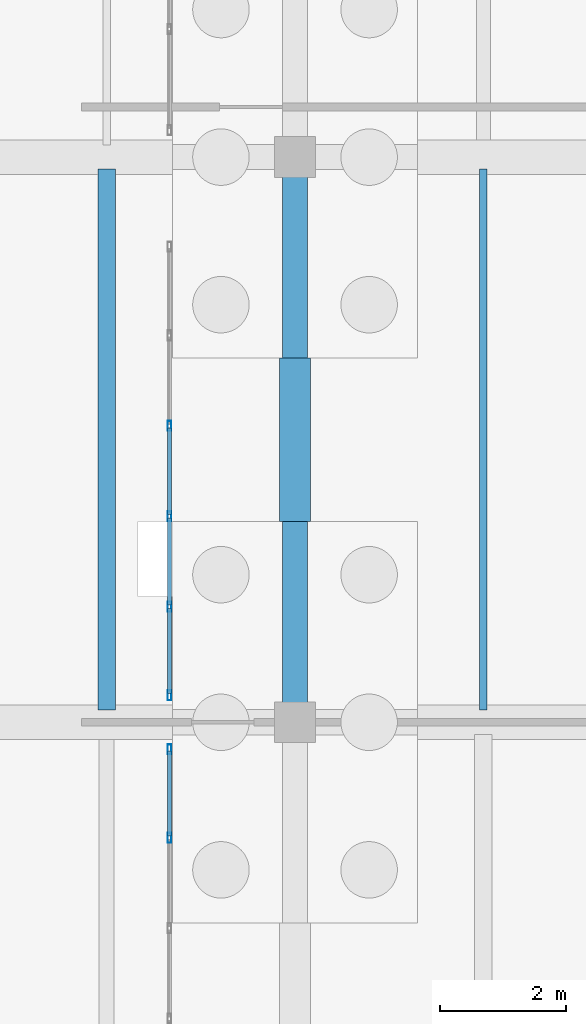
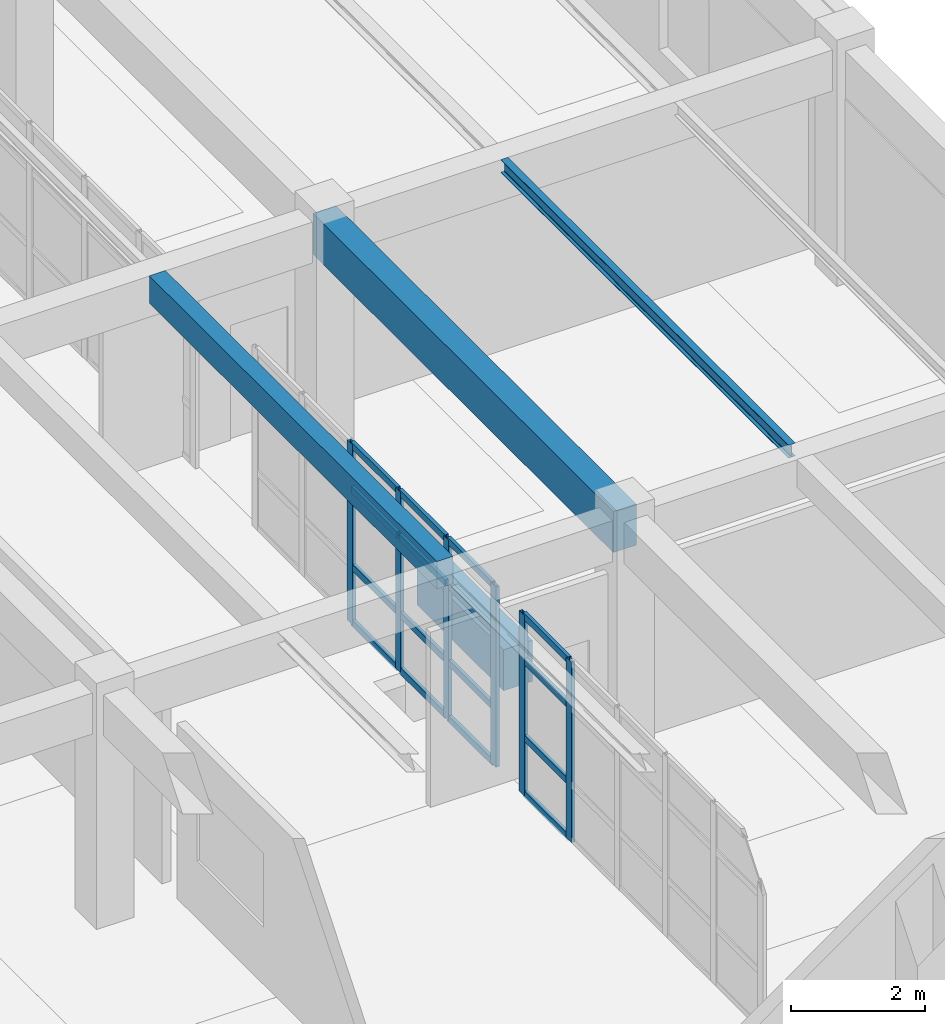
# One storey, part 116 of 186: 22 members, 4 beams, 2 elements without a shape of their own.
"""IFC4 building model written with IfcOpenShell, lengths in metres."""

from ifc_helpers import new_model, si_unit, direction, frame, origin, origin_2d, place, context, subcontext, project, spatial, rectangle, hollow_rectangle, i_section, extrude, material, layer, layer_set, material_profile, profile_set, type_object, element, aggregate, save


model = new_model("IFC4")

# Units and contexts
model_context = context("Model", 3, precision=1e-05, world=origin(), true_north=direction((0.0, 1.0)))
body_context = subcontext(model_context, "Body", "Model", "MODEL_VIEW")
ifc_project = project(units=[si_unit("LENGTHUNIT", "METRE"), si_unit("AREAUNIT", "SQUARE_METRE"), si_unit("VOLUMEUNIT", "CUBIC_METRE"), si_unit("PLANEANGLEUNIT", "RADIAN"), si_unit("MASSUNIT", "GRAM", prefix="KILO")], contexts=[model_context])

# Site, building, storey
site_placement = place(None, origin())
site = spatial("IfcSite", under=ifc_project, at=site_placement, CompositionType="ELEMENT")
building_placement = place(site_placement, origin())
building = spatial("IfcBuilding", under=site, at=building_placement, Name="Ornek Quay Market", CompositionType="ELEMENT")
storey_placement = place(building_placement, origin())
storey = spatial("IfcBuildingStorey", under=building, at=storey_placement, Name="L00", CompositionType="ELEMENT", Elevation=0.0)

# Beams
ifc_material_1 = material(Name="Concrete C35/45", Category="concrete")
ifc_material_profile_1 = material_profile(ifc_material_1, rectangle(XDim=0.39990234375, YDim=0.75, at=origin_2d()), Name="RC 400x750", Category="concrete")
ifc_profile_set_1 = profile_set([ifc_material_profile_1], Name="Concrete C35/45")
beam_type_1 = type_object("IfcBeamType", Name="BM-CS-400x750", PredefinedType="BEAM", material=ifc_profile_set_1)
beam_1_placement = place(storey_placement, frame((171.0, 38.0, 3.875), z_axis=(0.0, 1.0, 0.0), x_axis=(-1.0, 0.0, 0.0)))
element("IfcBeam", 1, at=beam_1_placement, inside=storey, type_object=beam_type_1, Name="Primary beam B-CS1-025", PredefinedType="BEAM", context=body_context, shape_type="SweptSolid", body=[
    extrude(rectangle(XDim=0.39990234375, YDim=0.75, at=origin_2d()), origin(), (0.0, 0.0, 1.0), 9.0),
])
ifc_material_profile_2 = material_profile(ifc_material_1, rectangle(XDim=0.5, YDim=0.75, at=origin_2d()), Name="RC 500x750", Category="concrete")
ifc_profile_set_2 = profile_set([ifc_material_profile_2], Name="Concrete C35/45")
beam_type_2 = type_object("IfcBeamType", Name="BM-GB-500x750", PredefinedType="BEAM", material=ifc_profile_set_2)
beam_2_placement = place(storey_placement, frame((171.0, 41.199951171875, -0.574951171875), z_axis=(0.0, 1.0, 0.0), x_axis=(-1.0, 0.0, 0.0)))
element("IfcBeam", 2, at=beam_2_placement, inside=storey, type_object=beam_type_2, Name="Ground tie beam GB-413", PredefinedType="BEAM", context=body_context, shape_type="SweptSolid", body=[
    extrude(rectangle(XDim=0.5, YDim=0.75, at=origin_2d()), origin(), (0.0, 0.0, 1.0), 2.60009765625),
])
ifc_material_profile_3 = material_profile(ifc_material_1, rectangle(XDim=0.280029296875, YDim=0.5, at=origin_2d()), Name="RC 280x500", Category="concrete")
ifc_profile_set_3 = profile_set([ifc_material_profile_3], Name="Concrete C35/45")
beam_type_3 = type_object("IfcBeamType", Name="BM-SEC-280x500", PredefinedType="JOIST", material=ifc_profile_set_3)
beam_3_placement = place(storey_placement, frame((168.0, 38.19189453125, 4.0), z_axis=(0.0, 1.0, 0.0), x_axis=(-1.0, 0.0, 0.0)))
element("IfcBeam", 3, at=beam_3_placement, inside=storey, type_object=beam_type_3, Name="Secondary joist B-SC2-082", PredefinedType="JOIST", context=body_context, shape_type="SweptSolid", body=[
    extrude(rectangle(XDim=0.280029296875, YDim=0.5, at=origin_2d()), origin(), (0.0, 0.0, 1.0), 8.6162109375),
])
ifc_material_2 = material(Name="Steel S355", Category="steel")
ifc_material_profile_4 = material_profile(ifc_material_2, i_section(OverallWidth=0.1201171875, OverallDepth=0.239990234375, WebThickness=0.006103515625, FlangeThickness=0.009765625, FilletRadius=0.014892578125, at=origin_2d()), Name="IPE 240", Category="steel")
ifc_profile_set_4 = profile_set([ifc_material_profile_4], Name="Steel S355")
beam_type_4 = type_object("IfcBeamType", Name="BM-STL-IPE240", PredefinedType="JOIST", material=ifc_profile_set_4)
beam_4_placement = place(storey_placement, frame((174.0, 38.19189453125, 4.1298828125), z_axis=(0.0, 1.0, 0.0), x_axis=(-1.0, 0.0, 0.0)))
element("IfcBeam", 4, at=beam_4_placement, inside=storey, type_object=beam_type_4, Name="Secondary joist SB-04-043", PredefinedType="JOIST", context=body_context, shape_type="SweptSolid", body=[
    extrude(i_section(OverallWidth=0.1201171875, OverallDepth=0.239990234375, WebThickness=0.006103515625, FlangeThickness=0.009765625, FilletRadius=0.014892578125, at=origin_2d()), origin(), (0.0, 0.0, 1.0), 8.6162109375),
])

# Curtain wall, members
ifc_material_3 = material(Name="Anodised bronze aluminium and triple low-e glass", Category="aluminium")
ifc_layer = layer(ifc_material_3, 0.139892578125, Name="Anodised bronze aluminium and triple low-e glass", Category="aluminium")
ifc_layer_set = layer_set([ifc_layer], Name="Anodised bronze aluminium and triple low-e glass")
curtain_wall_type = type_object("IfcCurtainWallType", Name="CW-GALLERY-INT", PredefinedType="USERDEFINED", material=ifc_layer_set)
curtain_wall_1_placement = place(storey_placement, origin())
curtain_wall_1 = element("IfcCurtainWall", 5, at=curtain_wall_1_placement, inside=storey, type_object=curtain_wall_type, Name="Curtain wall CW-159", ObjectType="CURTAIN WALL", PredefinedType="USERDEFINED")
ifc_material_4 = material(Name="Anodised aluminium 6063-T6", Category="aluminium")
ifc_material_profile_5 = material_profile(ifc_material_4, hollow_rectangle(XDim=0.06005859375, YDim=0.159912109375, WallThickness=0.00390625, at=origin_2d()), Name="CW-MUL-60x160", Category="aluminium")
ifc_profile_set_5 = profile_set([ifc_material_profile_5], Name="Anodised aluminium 6063-T6")
member_type_1 = type_object("IfcMemberType", Name="CW-MUL-60x160", PredefinedType="MULLION", material=ifc_profile_set_5)
member_1_placement = place(storey_placement, frame((169.0, 36.159912109375, 0.0), z_axis=(0.0, 0.0, 1.0), x_axis=(-1.0, 0.0, 0.0)))
member_1 = element("IfcMember", 6, at=member_1_placement, type_object=member_type_1, Name="CW-159 mullion 5", PredefinedType="MULLION", context=body_context, shape_type="SweptSolid", body=[
    extrude(hollow_rectangle(XDim=0.06005859375, YDim=0.159912109375, WallThickness=0.00390625, at=origin_2d()), origin(), (0.0, 0.0, 1.0), 3.300048828125),
])
member_2_placement = place(storey_placement, frame((169.0, 37.570068359375, 0.0), z_axis=(0.0, 0.0, 1.0), x_axis=(-1.0, 0.0, 0.0)))
member_2 = element("IfcMember", 7, at=member_2_placement, type_object=member_type_1, Name="CW-159 mullion 6", PredefinedType="MULLION", context=body_context, shape_type="SweptSolid", body=[
    extrude(hollow_rectangle(XDim=0.06005859375, YDim=0.159912109375, WallThickness=0.00390625, at=origin_2d()), origin(), (0.0, 0.0, 1.0), 3.300048828125),
])

curtain_wall_2_placement = place(storey_placement, origin())
curtain_wall_2 = element("IfcCurtainWall", 8, at=curtain_wall_2_placement, inside=storey, type_object=curtain_wall_type, Name="Curtain wall CW-160", ObjectType="CURTAIN WALL", PredefinedType="USERDEFINED")
member_3_placement = place(storey_placement, frame((169.0, 38.429931640625, 0.0), z_axis=(0.0, 0.0, 1.0), x_axis=(-1.0, 0.0, 0.0)))
member_3 = element("IfcMember", 9, at=member_3_placement, type_object=member_type_1, Name="CW-160 mullion 1", PredefinedType="MULLION", context=body_context, shape_type="SweptSolid", body=[
    extrude(hollow_rectangle(XDim=0.06005859375, YDim=0.159912109375, WallThickness=0.00390625, at=origin_2d()), origin(), (0.0, 0.0, 1.0), 3.300048828125),
])
member_4_placement = place(storey_placement, frame((169.0, 39.840087890625, 0.0), z_axis=(0.0, 0.0, 1.0), x_axis=(-1.0, 0.0, 0.0)))
member_4 = element("IfcMember", 10, at=member_4_placement, type_object=member_type_1, Name="CW-160 mullion 2", PredefinedType="MULLION", context=body_context, shape_type="SweptSolid", body=[
    extrude(hollow_rectangle(XDim=0.06005859375, YDim=0.159912109375, WallThickness=0.00390625, at=origin_2d()), origin(), (0.0, 0.0, 1.0), 3.300048828125),
])
member_5_placement = place(storey_placement, frame((169.0, 41.280029296875, 0.0), z_axis=(0.0, 0.0, 1.0), x_axis=(-1.0, 0.0, 0.0)))
member_5 = element("IfcMember", 11, at=member_5_placement, type_object=member_type_1, Name="CW-160 mullion 3", PredefinedType="MULLION", context=body_context, shape_type="SweptSolid", body=[
    extrude(hollow_rectangle(XDim=0.06005859375, YDim=0.159912109375, WallThickness=0.00390625, at=origin_2d()), origin(), (0.0, 0.0, 1.0), 3.300048828125),
])
member_6_placement = place(storey_placement, frame((169.0, 42.719970703125, 0.0), z_axis=(0.0, 0.0, 1.0), x_axis=(-1.0, 0.0, 0.0)))
member_6 = element("IfcMember", 12, at=member_6_placement, type_object=member_type_1, Name="CW-160 mullion 4", PredefinedType="MULLION", context=body_context, shape_type="SweptSolid", body=[
    extrude(hollow_rectangle(XDim=0.06005859375, YDim=0.159912109375, WallThickness=0.00390625, at=origin_2d()), origin(), (0.0, 0.0, 1.0), 3.300048828125),
])

# Member
ifc_material_profile_6 = material_profile(ifc_material_4, hollow_rectangle(XDim=0.06005859375, YDim=0.1201171875, WallThickness=0.00390625, at=origin_2d()), Name="CW-TRN-60x120", Category="aluminium")
ifc_profile_set_6 = profile_set([ifc_material_profile_6], Name="Anodised aluminium 6063-T6")
member_type_2 = type_object("IfcMemberType", Name="CW-TRN-60x120", PredefinedType="USERDEFINED", material=ifc_profile_set_6)
member_7_placement = place(storey_placement, frame((169.0, 36.18994140625, 0.030029296875), z_axis=(0.0, 1.0, 0.0), x_axis=(-1.0, 0.0, 0.0)))
member_7 = element("IfcMember", 13, at=member_7_placement, type_object=member_type_2, Name="CW-159 transom 5.1", ObjectType="TRANSOM", PredefinedType="USERDEFINED", context=body_context, shape_type="SweptSolid", body=[
    extrude(hollow_rectangle(XDim=0.06005859375, YDim=0.1201171875, WallThickness=0.00390625, at=origin_2d()), origin(), (0.0, 0.0, 1.0), 1.35009765625),
])

member_8_placement = place(storey_placement, frame((169.0, 36.18994140625, 1.050048828125), z_axis=(0.0, 1.0, 0.0), x_axis=(-1.0, 0.0, 0.0)))
member_8 = element("IfcMember", 14, at=member_8_placement, type_object=member_type_2, Name="CW-159 transom 5.2", ObjectType="TRANSOM", PredefinedType="USERDEFINED", context=body_context, shape_type="SweptSolid", body=[
    extrude(hollow_rectangle(XDim=0.06005859375, YDim=0.1201171875, WallThickness=0.00390625, at=origin_2d()), origin(), (0.0, 0.0, 1.0), 1.35009765625),
])

member_9_placement = place(storey_placement, frame((169.0, 36.18994140625, 2.449951171875), z_axis=(0.0, 1.0, 0.0), x_axis=(-1.0, 0.0, 0.0)))
member_9 = element("IfcMember", 15, at=member_9_placement, type_object=member_type_2, Name="CW-159 transom 5.3", ObjectType="TRANSOM", PredefinedType="USERDEFINED", context=body_context, shape_type="SweptSolid", body=[
    extrude(hollow_rectangle(XDim=0.06005859375, YDim=0.1201171875, WallThickness=0.00390625, at=origin_2d()), origin(), (0.0, 0.0, 1.0), 1.35009765625),
])

member_10_placement = place(storey_placement, frame((169.0, 36.18994140625, 3.27001953125), z_axis=(0.0, 1.0, 0.0), x_axis=(-1.0, 0.0, 0.0)))
member_10 = element("IfcMember", 16, at=member_10_placement, type_object=member_type_2, Name="CW-159 transom 5.4", ObjectType="TRANSOM", PredefinedType="USERDEFINED", context=body_context, shape_type="SweptSolid", body=[
    extrude(hollow_rectangle(XDim=0.06005859375, YDim=0.1201171875, WallThickness=0.00390625, at=origin_2d()), origin(), (0.0, 0.0, 1.0), 1.35009765625),
])

aggregate(curtain_wall_1, [member_1, member_2, member_7, member_8, member_9, member_10])

member_11_placement = place(storey_placement, frame((169.0, 38.4599609375, 0.030029296875), z_axis=(0.0, 1.0, 0.0), x_axis=(-1.0, 0.0, 0.0)))
member_11 = element("IfcMember", 17, at=member_11_placement, type_object=member_type_2, Name="CW-160 transom 1.1", ObjectType="TRANSOM", PredefinedType="USERDEFINED", context=body_context, shape_type="SweptSolid", body=[
    extrude(hollow_rectangle(XDim=0.06005859375, YDim=0.1201171875, WallThickness=0.00390625, at=origin_2d()), origin(), (0.0, 0.0, 1.0), 1.35009765625),
])

member_12_placement = place(storey_placement, frame((169.0, 38.4599609375, 1.050048828125), z_axis=(0.0, 1.0, 0.0), x_axis=(-1.0, 0.0, 0.0)))
member_12 = element("IfcMember", 18, at=member_12_placement, type_object=member_type_2, Name="CW-160 transom 1.2", ObjectType="TRANSOM", PredefinedType="USERDEFINED", context=body_context, shape_type="SweptSolid", body=[
    extrude(hollow_rectangle(XDim=0.06005859375, YDim=0.1201171875, WallThickness=0.00390625, at=origin_2d()), origin(), (0.0, 0.0, 1.0), 1.35009765625),
])

member_13_placement = place(storey_placement, frame((169.0, 38.4599609375, 2.449951171875), z_axis=(0.0, 1.0, 0.0), x_axis=(-1.0, 0.0, 0.0)))
member_13 = element("IfcMember", 19, at=member_13_placement, type_object=member_type_2, Name="CW-160 transom 1.3", ObjectType="TRANSOM", PredefinedType="USERDEFINED", context=body_context, shape_type="SweptSolid", body=[
    extrude(hollow_rectangle(XDim=0.06005859375, YDim=0.1201171875, WallThickness=0.00390625, at=origin_2d()), origin(), (0.0, 0.0, 1.0), 1.35009765625),
])

member_14_placement = place(storey_placement, frame((169.0, 38.4599609375, 3.27001953125), z_axis=(0.0, 1.0, 0.0), x_axis=(-1.0, 0.0, 0.0)))
member_14 = element("IfcMember", 20, at=member_14_placement, type_object=member_type_2, Name="CW-160 transom 1.4", ObjectType="TRANSOM", PredefinedType="USERDEFINED", context=body_context, shape_type="SweptSolid", body=[
    extrude(hollow_rectangle(XDim=0.06005859375, YDim=0.1201171875, WallThickness=0.00390625, at=origin_2d()), origin(), (0.0, 0.0, 1.0), 1.35009765625),
])

member_15_placement = place(storey_placement, frame((169.0, 39.8701171875, 0.030029296875), z_axis=(0.0, 1.0, 0.0), x_axis=(-1.0, 0.0, 0.0)))
member_15 = element("IfcMember", 21, at=member_15_placement, type_object=member_type_2, Name="CW-160 transom 2.1", ObjectType="TRANSOM", PredefinedType="USERDEFINED", context=body_context, shape_type="SweptSolid", body=[
    extrude(hollow_rectangle(XDim=0.06005859375, YDim=0.1201171875, WallThickness=0.00390625, at=origin_2d()), origin(), (0.0, 0.0, 1.0), 1.3798828125),
])

member_16_placement = place(storey_placement, frame((169.0, 39.8701171875, 1.050048828125), z_axis=(0.0, 1.0, 0.0), x_axis=(-1.0, 0.0, 0.0)))
member_16 = element("IfcMember", 22, at=member_16_placement, type_object=member_type_2, Name="CW-160 transom 2.2", ObjectType="TRANSOM", PredefinedType="USERDEFINED", context=body_context, shape_type="SweptSolid", body=[
    extrude(hollow_rectangle(XDim=0.06005859375, YDim=0.1201171875, WallThickness=0.00390625, at=origin_2d()), origin(), (0.0, 0.0, 1.0), 1.3798828125),
])

member_17_placement = place(storey_placement, frame((169.0, 39.8701171875, 2.449951171875), z_axis=(0.0, 1.0, 0.0), x_axis=(-1.0, 0.0, 0.0)))
member_17 = element("IfcMember", 23, at=member_17_placement, type_object=member_type_2, Name="CW-160 transom 2.3", ObjectType="TRANSOM", PredefinedType="USERDEFINED", context=body_context, shape_type="SweptSolid", body=[
    extrude(hollow_rectangle(XDim=0.06005859375, YDim=0.1201171875, WallThickness=0.00390625, at=origin_2d()), origin(), (0.0, 0.0, 1.0), 1.3798828125),
])

member_18_placement = place(storey_placement, frame((169.0, 39.8701171875, 3.27001953125), z_axis=(0.0, 1.0, 0.0), x_axis=(-1.0, 0.0, 0.0)))
member_18 = element("IfcMember", 24, at=member_18_placement, type_object=member_type_2, Name="CW-160 transom 2.4", ObjectType="TRANSOM", PredefinedType="USERDEFINED", context=body_context, shape_type="SweptSolid", body=[
    extrude(hollow_rectangle(XDim=0.06005859375, YDim=0.1201171875, WallThickness=0.00390625, at=origin_2d()), origin(), (0.0, 0.0, 1.0), 1.3798828125),
])

member_19_placement = place(storey_placement, frame((169.0, 41.31005859375, 0.030029296875), z_axis=(0.0, 1.0, 0.0), x_axis=(-1.0, 0.0, 0.0)))
member_19 = element("IfcMember", 25, at=member_19_placement, type_object=member_type_2, Name="CW-160 transom 3.1", ObjectType="TRANSOM", PredefinedType="USERDEFINED", context=body_context, shape_type="SweptSolid", body=[
    extrude(hollow_rectangle(XDim=0.06005859375, YDim=0.1201171875, WallThickness=0.00390625, at=origin_2d()), origin(), (0.0, 0.0, 1.0), 1.3798828125),
])

member_20_placement = place(storey_placement, frame((169.0, 41.31005859375, 1.050048828125), z_axis=(0.0, 1.0, 0.0), x_axis=(-1.0, 0.0, 0.0)))
member_20 = element("IfcMember", 26, at=member_20_placement, type_object=member_type_2, Name="CW-160 transom 3.2", ObjectType="TRANSOM", PredefinedType="USERDEFINED", context=body_context, shape_type="SweptSolid", body=[
    extrude(hollow_rectangle(XDim=0.06005859375, YDim=0.1201171875, WallThickness=0.00390625, at=origin_2d()), origin(), (0.0, 0.0, 1.0), 1.3798828125),
])

member_21_placement = place(storey_placement, frame((169.0, 41.31005859375, 2.449951171875), z_axis=(0.0, 1.0, 0.0), x_axis=(-1.0, 0.0, 0.0)))
member_21 = element("IfcMember", 27, at=member_21_placement, type_object=member_type_2, Name="CW-160 transom 3.3", ObjectType="TRANSOM", PredefinedType="USERDEFINED", context=body_context, shape_type="SweptSolid", body=[
    extrude(hollow_rectangle(XDim=0.06005859375, YDim=0.1201171875, WallThickness=0.00390625, at=origin_2d()), origin(), (0.0, 0.0, 1.0), 1.3798828125),
])

member_22_placement = place(storey_placement, frame((169.0, 41.31005859375, 3.27001953125), z_axis=(0.0, 1.0, 0.0), x_axis=(-1.0, 0.0, 0.0)))
member_22 = element("IfcMember", 28, at=member_22_placement, type_object=member_type_2, Name="CW-160 transom 3.4", ObjectType="TRANSOM", PredefinedType="USERDEFINED", context=body_context, shape_type="SweptSolid", body=[
    extrude(hollow_rectangle(XDim=0.06005859375, YDim=0.1201171875, WallThickness=0.00390625, at=origin_2d()), origin(), (0.0, 0.0, 1.0), 1.3798828125),
])

aggregate(curtain_wall_2, [member_3, member_4, member_5, member_6, member_11, member_12, member_13, member_14, member_15, member_16, member_17, member_18, member_19, member_20, member_21, member_22])

save(model, "model.ifc")
